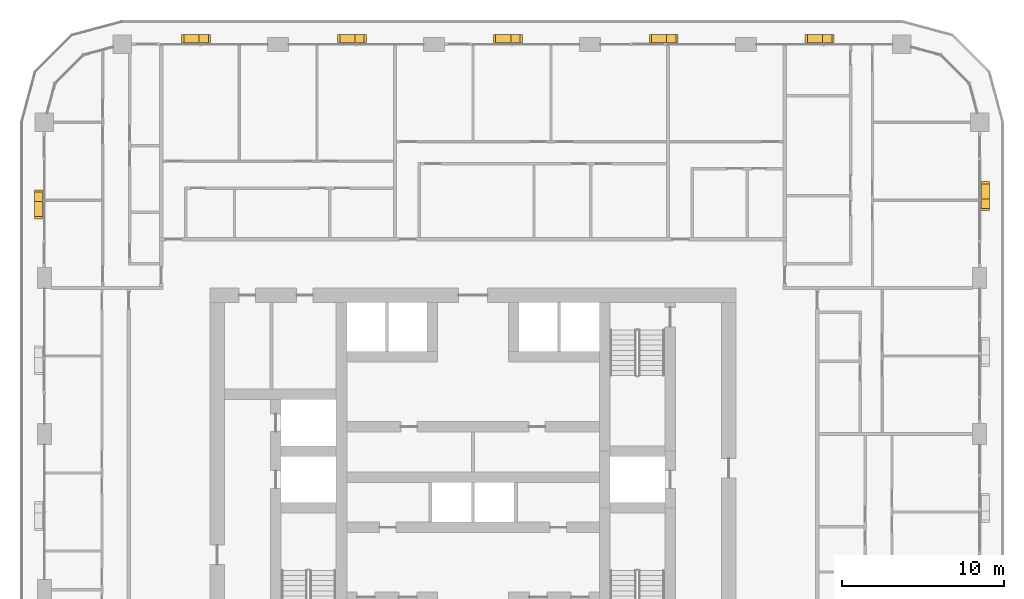
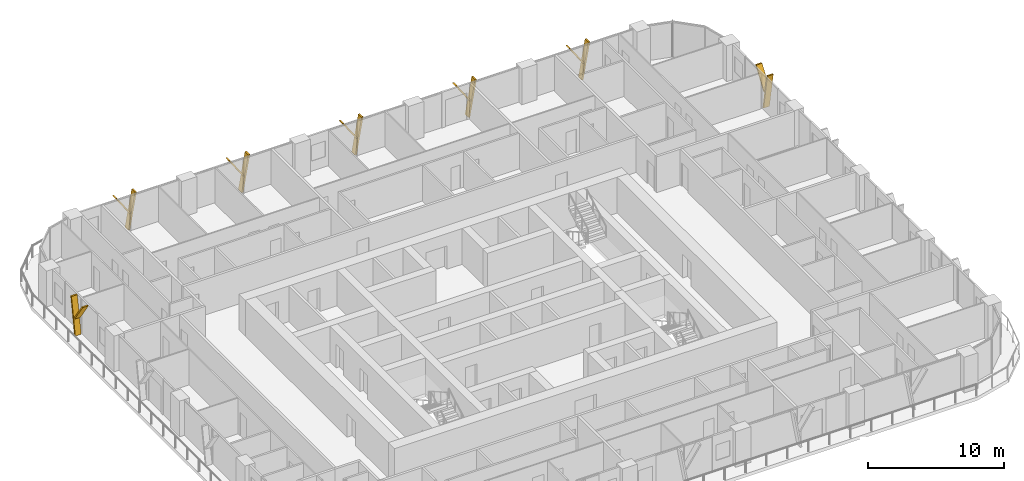
# One storey, part 21 of 21: 14 shading devices.
"""IFC4 building model written with IfcOpenShell, lengths in metres."""

from ifc_helpers import new_model, si_unit, direction, frame, origin, place, context, subcontext, project, spatial, polyline, outline, extrude, material, type_object, element, save


model = new_model("IFC4")

# Units and contexts
model_context = context("Model", 3, precision=1e-05, world=origin(), true_north=direction((0.0, 1.0)))
body_context = subcontext(model_context, "Body", "Model", "MODEL_VIEW")
ifc_project = project(units=[si_unit("LENGTHUNIT", "METRE"), si_unit("AREAUNIT", "SQUARE_METRE"), si_unit("VOLUMEUNIT", "CUBIC_METRE"), si_unit("PLANEANGLEUNIT", "RADIAN"), si_unit("MASSUNIT", "GRAM", prefix="KILO")], contexts=[model_context])

# Site, building, storey
site_placement = place(None, origin())
site = spatial("IfcSite", under=ifc_project, at=site_placement, CompositionType="ELEMENT")
building_placement = place(site_placement, origin())
building = spatial("IfcBuilding", under=site, at=building_placement, Name="Madar Terraces", CompositionType="ELEMENT")
storey_placement = place(building_placement, frame((0.0, 0.0, 96.199951171875)))
storey = spatial("IfcBuildingStorey", under=building, at=storey_placement, Name="L24", CompositionType="ELEMENT", Elevation=96.199951171875)

# Shading devices
ifc_material = material(Name="Aluminium, black anodised", Category="aluminium")
shading_device_type = type_object("IfcShadingDeviceType", Name="Facade fin blade 140 x 500", PredefinedType="USERDEFINED", material=ifc_material)
shading_device_1_placement = place(storey_placement, frame((62.75, 43.1298828125, 0.0), z_axis=(0.0, 0.0, 1.0), x_axis=(0.0, 1.0, 0.0)))
element("IfcShadingDevice", 1, at=shading_device_1_placement, inside=storey, type_object=shading_device_type, Name="FIN L24 E4", ObjectType="FIN", PredefinedType="USERDEFINED", context=body_context, shape_type="SweptSolid", body=[
    extrude(outline(polyline([(0.0, 0.0), (0.14013671875, 0.0), (-0.42431640625, 3.199951171875), (-0.564208984375, 3.199951171875), (0.0, 0.0)])), frame((0.0, 0.25, 0.0), z_axis=(0.0, -1.0, 0.0), x_axis=(1.0, 0.0, 0.0)), (0.0, 0.0, 1.0), 0.5),
])
shading_device_2_placement = place(storey_placement, frame((62.75, 43.01611328125, 1.43994140625), z_axis=(0.0, 0.0, 1.0), x_axis=(0.0, 1.0, 0.0)))
element("IfcShadingDevice", 2, at=shading_device_2_placement, inside=storey, type_object=shading_device_type, Name="FIN L24 E4 branch", ObjectType="FIN", PredefinedType="USERDEFINED", context=body_context, shape_type="SweptSolid", body=[
    extrude(outline(polyline([(0.0, 0.0), (0.139892578125, 0.0), (1.32958984375, 1.760009765625), (1.189697265625, 1.760009765625), (0.0, 0.0)])), frame((0.0, 0.25, 0.0), z_axis=(0.0, -1.0, 0.0), x_axis=(1.0, 0.0, 0.0)), (0.0, 0.0, 1.0), 0.5),
])
shading_device_3_placement = place(storey_placement, frame((52.8701171875, 53.14990234375, 0.0), z_axis=(0.0, 0.0, 1.0), x_axis=(-1.0, 0.0, 0.0)))
element("IfcShadingDevice", 3, at=shading_device_3_placement, inside=storey, type_object=shading_device_type, Name="FIN L24 N1", ObjectType="FIN", PredefinedType="USERDEFINED", context=body_context, shape_type="SweptSolid", body=[
    extrude(outline(polyline([(0.0, 0.0), (0.14013671875, 0.0), (-0.42431640625, 3.199951171875), (-0.564208984375, 3.199951171875), (0.0, 0.0)])), frame((0.0, 0.25, 0.0), z_axis=(0.0, -1.0, 0.0), x_axis=(1.0, 0.0, 0.0)), (0.0, 0.0, 1.0), 0.5),
])
shading_device_4_placement = place(storey_placement, frame((52.98388671875, 53.14990234375, 1.43994140625), z_axis=(0.0, 0.0, 1.0), x_axis=(-1.0, 0.0, 0.0)))
element("IfcShadingDevice", 4, at=shading_device_4_placement, inside=storey, type_object=shading_device_type, Name="FIN L24 N1 branch", ObjectType="FIN", PredefinedType="USERDEFINED", context=body_context, shape_type="SweptSolid", body=[
    extrude(outline(polyline([(0.0, 0.0), (0.139892578125, 0.0), (1.32958984375, 1.760009765625), (1.189697265625, 1.760009765625), (0.0, 0.0)])), frame((0.0, 0.25, 0.0), z_axis=(0.0, -1.0, 0.0), x_axis=(1.0, 0.0, 0.0)), (0.0, 0.0, 1.0), 0.5),
])
shading_device_5_placement = place(storey_placement, frame((43.27001953125, 53.14990234375, 0.0), z_axis=(0.0, 0.0, 1.0), x_axis=(-1.0, 0.0, 0.0)))
element("IfcShadingDevice", 5, at=shading_device_5_placement, inside=storey, type_object=shading_device_type, Name="FIN L24 N2", ObjectType="FIN", PredefinedType="USERDEFINED", context=body_context, shape_type="SweptSolid", body=[
    extrude(outline(polyline([(0.0, 0.0), (0.14013671875, 0.0), (-0.42431640625, 3.199951171875), (-0.564208984375, 3.199951171875), (0.0, 0.0)])), frame((0.0, 0.25, 0.0), z_axis=(0.0, -1.0, 0.0), x_axis=(1.0, 0.0, 0.0)), (0.0, 0.0, 1.0), 0.5),
])
shading_device_6_placement = place(storey_placement, frame((43.3837890625, 53.14990234375, 1.43994140625), z_axis=(0.0, 0.0, 1.0), x_axis=(-1.0, 0.0, 0.0)))
element("IfcShadingDevice", 6, at=shading_device_6_placement, inside=storey, type_object=shading_device_type, Name="FIN L24 N2 branch", ObjectType="FIN", PredefinedType="USERDEFINED", context=body_context, shape_type="SweptSolid", body=[
    extrude(outline(polyline([(0.0, 0.0), (0.139892578125, 0.0), (1.32958984375, 1.760009765625), (1.189697265625, 1.760009765625), (0.0, 0.0)])), frame((0.0, 0.25, 0.0), z_axis=(0.0, -1.0, 0.0), x_axis=(1.0, 0.0, 0.0)), (0.0, 0.0, 1.0), 0.5),
])
shading_device_7_placement = place(storey_placement, frame((33.669921875, 53.14990234375, 0.0), z_axis=(0.0, 0.0, 1.0), x_axis=(-1.0, 0.0, 0.0)))
element("IfcShadingDevice", 7, at=shading_device_7_placement, inside=storey, type_object=shading_device_type, Name="FIN L24 N3", ObjectType="FIN", PredefinedType="USERDEFINED", context=body_context, shape_type="SweptSolid", body=[
    extrude(outline(polyline([(0.0, 0.0), (0.139892578125, 0.0), (-0.42431640625, 3.199951171875), (-0.564208984375, 3.199951171875), (0.0, 0.0)])), frame((0.0, 0.25, 0.0), z_axis=(0.0, -1.0, 0.0), x_axis=(1.0, 0.0, 0.0)), (0.0, 0.0, 1.0), 0.5),
])
shading_device_8_placement = place(storey_placement, frame((33.783935546875, 53.14990234375, 1.43994140625), z_axis=(0.0, 0.0, 1.0), x_axis=(-1.0, 0.0, 0.0)))
element("IfcShadingDevice", 8, at=shading_device_8_placement, inside=storey, type_object=shading_device_type, Name="FIN L24 N3 branch", ObjectType="FIN", PredefinedType="USERDEFINED", context=body_context, shape_type="SweptSolid", body=[
    extrude(outline(polyline([(0.0, 0.0), (0.14013671875, 0.0), (1.32958984375, 1.760009765625), (1.189697265625, 1.760009765625), (0.0, 0.0)])), frame((0.0, 0.25, 0.0), z_axis=(0.0, -1.0, 0.0), x_axis=(1.0, 0.0, 0.0)), (0.0, 0.0, 1.0), 0.5),
])
shading_device_9_placement = place(storey_placement, frame((24.070068359375, 53.14990234375, 0.0), z_axis=(0.0, 0.0, 1.0), x_axis=(-1.0, 0.0, 0.0)))
element("IfcShadingDevice", 9, at=shading_device_9_placement, inside=storey, type_object=shading_device_type, Name="FIN L24 N4", ObjectType="FIN", PredefinedType="USERDEFINED", context=body_context, shape_type="SweptSolid", body=[
    extrude(outline(polyline([(0.0, 0.0), (0.14013671875, 0.0), (-0.42431640625, 3.199951171875), (-0.564208984375, 3.199951171875), (0.0, 0.0)])), frame((0.0, 0.25, 0.0), z_axis=(0.0, -1.0, 0.0), x_axis=(1.0, 0.0, 0.0)), (0.0, 0.0, 1.0), 0.5),
])
shading_device_10_placement = place(storey_placement, frame((24.183837890625, 53.14990234375, 1.43994140625), z_axis=(0.0, 0.0, 1.0), x_axis=(-1.0, 0.0, 0.0)))
element("IfcShadingDevice", 10, at=shading_device_10_placement, inside=storey, type_object=shading_device_type, Name="FIN L24 N4 branch", ObjectType="FIN", PredefinedType="USERDEFINED", context=body_context, shape_type="SweptSolid", body=[
    extrude(outline(polyline([(0.0, 0.0), (0.139892578125, 0.0), (1.32958984375, 1.760009765625), (1.189697265625, 1.760009765625), (0.0, 0.0)])), frame((0.0, 0.25, 0.0), z_axis=(0.0, -1.0, 0.0), x_axis=(1.0, 0.0, 0.0)), (0.0, 0.0, 1.0), 0.5),
])
shading_device_11_placement = place(storey_placement, frame((14.469970703125, 53.14990234375, 0.0), z_axis=(0.0, 0.0, 1.0), x_axis=(-1.0, 0.0, 0.0)))
element("IfcShadingDevice", 11, at=shading_device_11_placement, inside=storey, type_object=shading_device_type, Name="FIN L24 N5", ObjectType="FIN", PredefinedType="USERDEFINED", context=body_context, shape_type="SweptSolid", body=[
    extrude(outline(polyline([(0.0, 0.0), (0.139892578125, 0.0), (-0.42431640625, 3.199951171875), (-0.564208984375, 3.199951171875), (0.0, 0.0)])), frame((0.0, 0.25, 0.0), z_axis=(0.0, -1.0, 0.0), x_axis=(1.0, 0.0, 0.0)), (0.0, 0.0, 1.0), 0.5),
])
shading_device_12_placement = place(storey_placement, frame((14.583984375, 53.14990234375, 1.43994140625), z_axis=(0.0, 0.0, 1.0), x_axis=(-1.0, 0.0, 0.0)))
element("IfcShadingDevice", 12, at=shading_device_12_placement, inside=storey, type_object=shading_device_type, Name="FIN L24 N5 branch", ObjectType="FIN", PredefinedType="USERDEFINED", context=body_context, shape_type="SweptSolid", body=[
    extrude(outline(polyline([(0.0, 0.0), (0.14013671875, 0.0), (1.32958984375, 1.760009765625), (1.189697265625, 1.760009765625), (0.0, 0.0)])), frame((0.0, 0.25, 0.0), z_axis=(0.0, -1.0, 0.0), x_axis=(1.0, 0.0, 0.0)), (0.0, 0.0, 1.0), 0.5),
])
shading_device_13_placement = place(storey_placement, frame((4.449951171875, 43.27001953125, 0.0), z_axis=(0.0, 0.0, 1.0), x_axis=(0.0, -1.0, 0.0)))
element("IfcShadingDevice", 13, at=shading_device_13_placement, inside=storey, type_object=shading_device_type, Name="FIN L24 W1", ObjectType="FIN", PredefinedType="USERDEFINED", context=body_context, shape_type="SweptSolid", body=[
    extrude(outline(polyline([(0.0, 0.0), (0.14013671875, 0.0), (-0.42431640625, 3.199951171875), (-0.564208984375, 3.199951171875), (0.0, 0.0)])), frame((0.0, 0.25, 0.0), z_axis=(0.0, -1.0, 0.0), x_axis=(1.0, 0.0, 0.0)), (0.0, 0.0, 1.0), 0.5),
])
shading_device_14_placement = place(storey_placement, frame((4.449951171875, 43.3837890625, 1.43994140625), z_axis=(0.0, 0.0, 1.0), x_axis=(0.0, -1.0, 0.0)))
element("IfcShadingDevice", 14, at=shading_device_14_placement, inside=storey, type_object=shading_device_type, Name="FIN L24 W1 branch", ObjectType="FIN", PredefinedType="USERDEFINED", context=body_context, shape_type="SweptSolid", body=[
    extrude(outline(polyline([(0.0, 0.0), (0.139892578125, 0.0), (1.32958984375, 1.760009765625), (1.189697265625, 1.760009765625), (0.0, 0.0)])), frame((0.0, 0.25, 0.0), z_axis=(0.0, -1.0, 0.0), x_axis=(1.0, 0.0, 0.0)), (0.0, 0.0, 1.0), 0.5),
])

save(model, "model.ifc")
